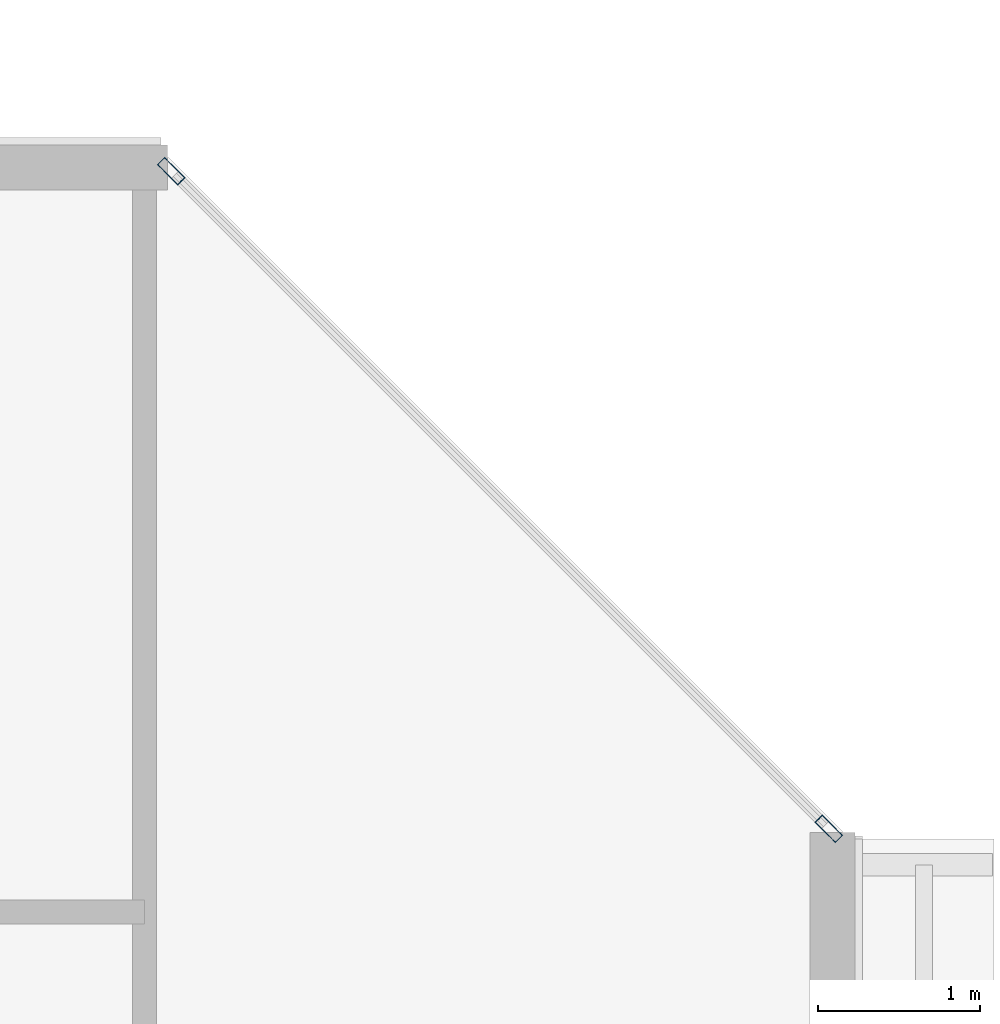
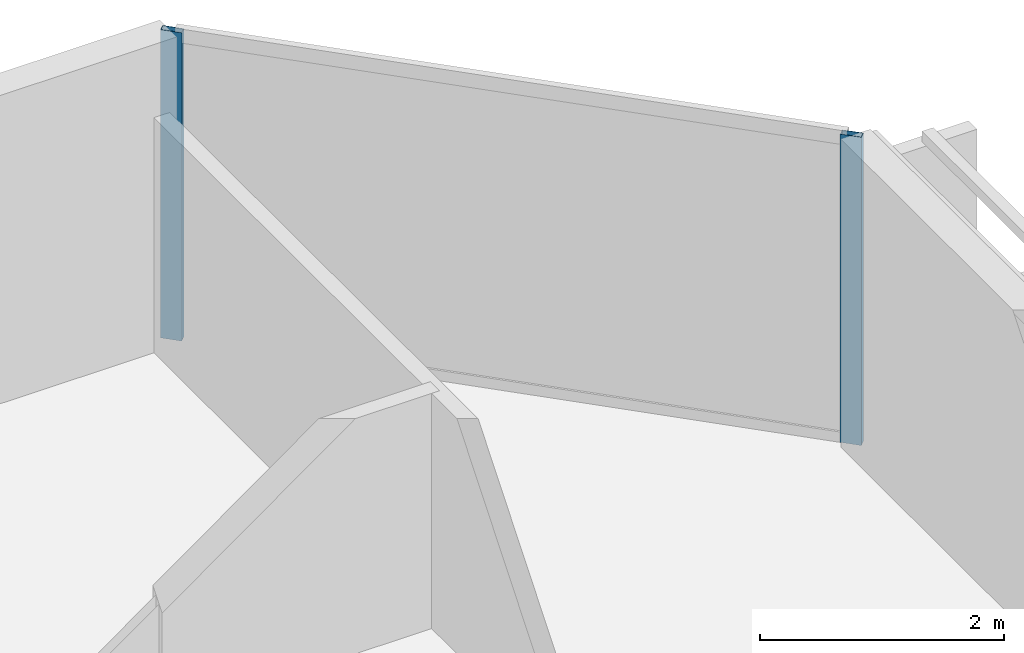
# One storey, part 15 of 33: 2 members, 1 element without a shape of its own.
"""IFC4 building model written with IfcOpenShell, lengths in metres."""

from ifc_helpers import new_model, si_unit, direction, frame, origin, origin_2d, place, context, subcontext, project, spatial, hollow_rectangle, extrude, material, layer, layer_set, material_profile, profile_set, type_object, element, aggregate, save


model = new_model("IFC4")

# Units and contexts
model_context = context("Model", 3, precision=1e-05, world=origin(), true_north=direction((0.0, 1.0)))
body_context = subcontext(model_context, "Body", "Model", "MODEL_VIEW")
ifc_project = project(units=[si_unit("LENGTHUNIT", "METRE"), si_unit("AREAUNIT", "SQUARE_METRE"), si_unit("VOLUMEUNIT", "CUBIC_METRE"), si_unit("PLANEANGLEUNIT", "RADIAN"), si_unit("MASSUNIT", "GRAM", prefix="KILO")], contexts=[model_context])

# Site, building, storey
site_placement = place(None, origin())
site = spatial("IfcSite", under=ifc_project, at=site_placement, CompositionType="ELEMENT")
building_placement = place(site_placement, origin())
building = spatial("IfcBuilding", under=site, at=building_placement, Name="Tanjung Sevakor Pilgrim Tower", CompositionType="ELEMENT")
storey_placement = place(building_placement, frame((0.0, 0.0, 35.639892578125)))
storey = spatial("IfcBuildingStorey", under=building, at=storey_placement, Name="L09", CompositionType="ELEMENT", Elevation=35.639892578125)

# Curtain wall, members
ifc_material_1 = material(Name="Aluminium 6063-T6 and Low-E Glass", Category="aluminium")
ifc_layer = layer(ifc_material_1, 0.179931640625)
ifc_layer_set = layer_set([ifc_layer], Name="CW-SYS-CHAM")
curtain_wall_type = type_object("IfcCurtainWallType", Name="CW-SYS-CHAM", PredefinedType="NOTDEFINED", material=ifc_layer_set)
curtain_wall_placement = place(storey_placement, origin())
curtain_wall = element("IfcCurtainWall", 1, at=curtain_wall_placement, inside=storey, type_object=curtain_wall_type, Name="L09 Curtain Wall CW-CHM-L09-MAIN-7", PredefinedType="NOTDEFINED")
ifc_material_2 = material(Name="Aluminium 6063-T6", Category="aluminium")
ifc_material_profile = material_profile(ifc_material_2, hollow_rectangle(XDim=0.06494140625, YDim=0.179931640625, WallThickness=0.00390625, at=origin_2d()))
ifc_profile_set = profile_set([ifc_material_profile], Name="Aluminium 6063-T6")
member_type = type_object("IfcMemberType", Name="TYPE-CWM-1", PredefinedType="MULLION", material=ifc_profile_set)
member_1_placement = place(storey_placement, frame((100.636962890625, 55.364990234375, 0.0), z_axis=(0.0, 0.0, 1.0), x_axis=(-0.707106781187, -0.707106781187, 0.0)))
member_1 = element("IfcMember", 2, at=member_1_placement, type_object=member_type, Name="CW-CHM mullion 1", PredefinedType="MULLION", context=body_context, shape_type="SweptSolid", body=[
    extrude(hollow_rectangle(XDim=0.06494140625, YDim=0.179931640625, WallThickness=0.00390625, at=origin_2d()), origin(), (0.0, 0.0, 1.0), 3.080078125),
])
member_2_placement = place(storey_placement, frame((96.56494140625, 59.43701171875, 0.0), z_axis=(0.0, 0.0, 1.0), x_axis=(-0.707106781187, -0.707106781187, 0.0)))
member_2 = element("IfcMember", 3, at=member_2_placement, type_object=member_type, Name="CW-CHM mullion 2", PredefinedType="MULLION", context=body_context, shape_type="SweptSolid", body=[
    extrude(hollow_rectangle(XDim=0.06494140625, YDim=0.179931640625, WallThickness=0.00390625, at=origin_2d()), origin(), (0.0, 0.0, 1.0), 3.080078125),
])
aggregate(curtain_wall, [member_1, member_2])

save(model, "model.ifc")
